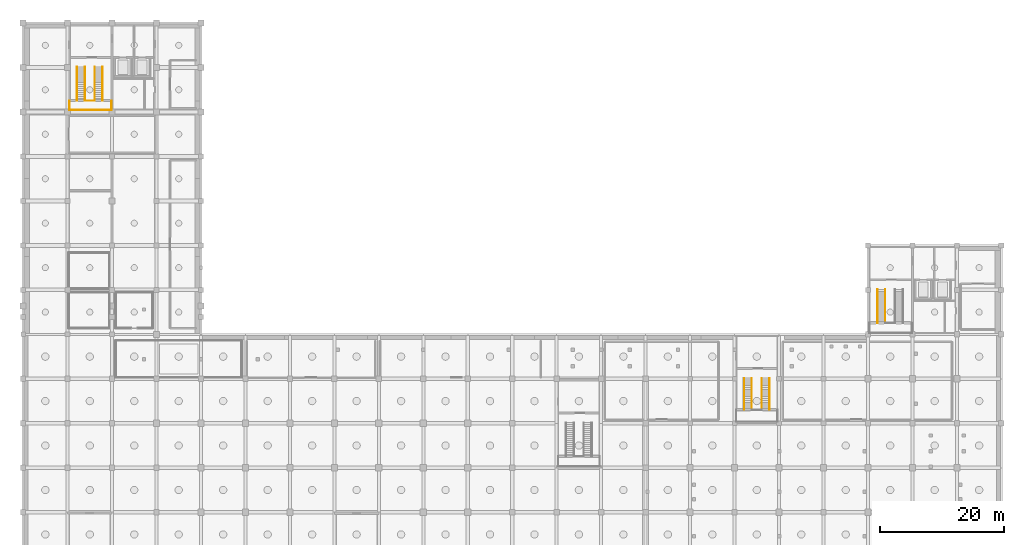
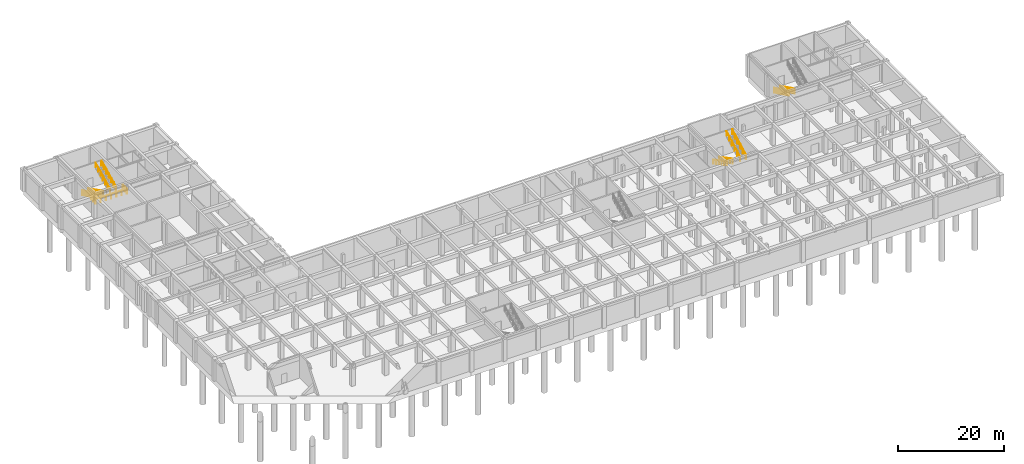
# One storey, part 13 of 15: 16 railings.
"""IFC4 building model written with IfcOpenShell, lengths in metres."""

from ifc_helpers import new_model, si_unit, direction, frame, origin, origin_2d, place, context, subcontext, project, spatial, circle, extrude, material, type_object, element, save


model = new_model("IFC4")

# Units and contexts
model_context = context("Model", 3, precision=1e-05, world=origin(), true_north=direction((0.0, 1.0)))
body_context = subcontext(model_context, "Body", "Model", "MODEL_VIEW")
ifc_project = project(units=[si_unit("LENGTHUNIT", "METRE"), si_unit("AREAUNIT", "SQUARE_METRE"), si_unit("VOLUMEUNIT", "CUBIC_METRE"), si_unit("PLANEANGLEUNIT", "RADIAN"), si_unit("MASSUNIT", "GRAM", prefix="KILO")], contexts=[model_context])

# Site, building, storey
site_placement = place(None, origin())
site = spatial("IfcSite", under=ifc_project, at=site_placement, CompositionType="ELEMENT")
building_placement = place(site_placement, origin())
building = spatial("IfcBuilding", under=site, at=building_placement, Name="Leyfeld Transit Interchange", CompositionType="ELEMENT")
storey_placement = place(building_placement, frame((0.0, 0.0, -10.800048828125)))
storey = spatial("IfcBuildingStorey", under=building, at=storey_placement, Name="B02", CompositionType="ELEMENT", Elevation=-10.800048828125)

# Railings
ifc_material = material(Name="Stainless steel EN 1.4404", Category="steel")
railing_type_1 = type_object("IfcRailingType", Name="RL-STR-GRD-1100", PredefinedType="GUARDRAIL", material=ifc_material)
railing_1_placement = place(storey_placement, frame((10.010009765625, 95.419921875, 2.699951171875)))
element("IfcRailing", 1, at=railing_1_placement, inside=storey, type_object=railing_type_1, Name="Stair ST-01 B02 Half-Landing Inner Guard", PredefinedType="GUARDRAIL", context=body_context, shape_type="SweptSolid", body=[
    extrude(circle(Radius=0.02392578125, at=origin_2d()), frame((0.0, 0.0, 1.09619140625), z_axis=(1.0, 0.0, 0.0), x_axis=(0.0, 1.0, 0.0)), (0.0, 0.0, 1.0), 1.580078125),
    extrude(circle(Radius=0.02099609375, at=origin_2d()), origin(), (0.0, 0.0, 1.0), 1.072021484375),
    extrude(circle(Radius=0.02099609375, at=origin_2d()), frame((0.7900390625, 0.0, 0.0)), (0.0, 0.0, 1.0), 1.072021484375),
    extrude(circle(Radius=0.02099609375, at=origin_2d()), frame((1.580078125, 0.0, 0.0)), (0.0, 0.0, 1.0), 1.072021484375),
])
railing_2_placement = place(storey_placement, frame((7.5048828125, 95.419921875, 2.699951171875)))
element("IfcRailing", 2, at=railing_2_placement, inside=storey, type_object=railing_type_1, Name="Stair ST-01 B02 Half-Landing Perimeter Guard", PredefinedType="GUARDRAIL", context=body_context, shape_type="SweptSolid", body=[
    extrude(circle(Radius=0.02392578125, at=origin_2d()), frame((0.0, 0.0, 1.09619140625), z_axis=(0.0, -1.0, 0.0), x_axis=(1.0, 0.0, 0.0)), (0.0, 0.0, 1.0), 1.514892578125),
    extrude(circle(Radius=0.02392578125, at=origin_2d()), frame((0.0, -1.514892578125, 1.09619140625), z_axis=(1.0, 0.0, 0.0), x_axis=(0.0, 1.0, 0.0)), (0.0, 0.0, 1.0), 6.815185546875),
    extrude(circle(Radius=0.02392578125, at=origin_2d()), frame((6.815185546875, -1.514892578125, 1.09619140625), z_axis=(0.0, 1.0, 0.0), x_axis=(-1.0, 0.0, 0.0)), (0.0, 0.0, 1.0), 1.514892578125),
    extrude(circle(Radius=0.02099609375, at=origin_2d()), origin(), (0.0, 0.0, 1.0), 1.072021484375),
    extrude(circle(Radius=0.02099609375, at=origin_2d()), frame((0.0, -0.75732421875, 0.0)), (0.0, 0.0, 1.0), 1.072021484375),
    extrude(circle(Radius=0.02099609375, at=origin_2d()), frame((0.0, -1.514892578125, 0.0)), (0.0, 0.0, 1.0), 1.072021484375),
    extrude(circle(Radius=0.02099609375, at=origin_2d()), frame((1.1357421875, -1.514892578125, 0.0)), (0.0, 0.0, 1.0), 1.072021484375),
    extrude(circle(Radius=0.02099609375, at=origin_2d()), frame((2.271728515625, -1.514892578125, 0.0)), (0.0, 0.0, 1.0), 1.072021484375),
    extrude(circle(Radius=0.02099609375, at=origin_2d()), frame((3.40771484375, -1.514892578125, 0.0)), (0.0, 0.0, 1.0), 1.072021484375),
    extrude(circle(Radius=0.02099609375, at=origin_2d()), frame((4.54345703125, -1.514892578125, 0.0)), (0.0, 0.0, 1.0), 1.072021484375),
    extrude(circle(Radius=0.02099609375, at=origin_2d()), frame((5.67919921875, -1.514892578125, 0.0)), (0.0, 0.0, 1.0), 1.072021484375),
    extrude(circle(Radius=0.02099609375, at=origin_2d()), frame((6.815185546875, -1.514892578125, 0.0)), (0.0, 0.0, 1.0), 1.072021484375),
    extrude(circle(Radius=0.02099609375, at=origin_2d()), frame((6.815185546875, -0.75732421875, 0.0)), (0.0, 0.0, 1.0), 1.072021484375),
    extrude(circle(Radius=0.02099609375, at=origin_2d()), frame((6.815185546875, 0.0, 0.0)), (0.0, 0.0, 1.0), 1.072021484375),
])
for number, where, name in (
    (3, (10.010009765625, 100.89990234375, 0.0), "Stair ST-01 B02 F1 Inner Guard"),
    (4, (8.68994140625, 100.89990234375, 0.0), "Stair ST-01 B02 F1 Outer Guard"),
):
    element("IfcRailing", number, at=place(storey_placement, frame(where)), inside=storey, type_object=railing_type_1, Name=name, PredefinedType="GUARDRAIL", context=body_context, shape_type="SweptSolid", body=[
        extrude(circle(Radius=0.02392578125, at=origin_2d()), frame((0.0, 0.0, 1.09619140625), z_axis=(0.0, -0.895741871369, 0.444574515549), x_axis=(1.0, 0.0, 0.0)), (0.0, 0.0, 1.0), 6.072998046875),
        extrude(circle(Radius=0.02099609375, at=origin_2d()), origin(), (0.0, 0.0, 1.0), 1.072021484375),
        extrude(circle(Radius=0.02099609375, at=origin_2d()), frame((0.0, -0.90673828125, 0.449951171875)), (0.0, 0.0, 1.0), 1.072021484375),
        extrude(circle(Radius=0.02099609375, at=origin_2d()), frame((0.0, -1.813232421875, 0.89990234375)), (0.0, 0.0, 1.0), 1.072021484375),
        extrude(circle(Radius=0.02099609375, at=origin_2d()), frame((0.0, -2.719970703125, 1.35009765625)), (0.0, 0.0, 1.0), 1.072021484375),
        extrude(circle(Radius=0.02099609375, at=origin_2d()), frame((0.0, -3.626708984375, 1.800048828125)), (0.0, 0.0, 1.0), 1.072021484375),
        extrude(circle(Radius=0.02099609375, at=origin_2d()), frame((0.0, -4.533203125, 2.25)), (0.0, 0.0, 1.0), 1.072021484375),
        extrude(circle(Radius=0.02099609375, at=origin_2d()), frame((0.0, -5.43994140625, 2.699951171875)), (0.0, 0.0, 1.0), 1.072021484375),
    ])
for number, where, name in (
    (5, (11.590087890625, 95.4599609375, 2.699951171875), "Stair ST-01 B02 F2 Inner Guard"),
    (6, (12.909912109375, 95.4599609375, 2.699951171875), "Stair ST-01 B02 F2 Outer Guard"),
):
    element("IfcRailing", number, at=place(storey_placement, frame(where)), inside=storey, type_object=railing_type_1, Name=name, PredefinedType="GUARDRAIL", context=body_context, shape_type="SweptSolid", body=[
        extrude(circle(Radius=0.02392578125, at=origin_2d()), frame((0.0, 0.0, 1.09619140625), z_axis=(0.0, 0.895725862372, 0.444606769492), x_axis=(-1.0, 0.0, 0.0)), (0.0, 0.0, 1.0), 6.0732421875),
        extrude(circle(Radius=0.02099609375, at=origin_2d()), origin(), (0.0, 0.0, 1.0), 1.072021484375),
        extrude(circle(Radius=0.02099609375, at=origin_2d()), frame((0.0, 0.90673828125, 0.449951171875)), (0.0, 0.0, 1.0), 1.072021484375),
        extrude(circle(Radius=0.02099609375, at=origin_2d()), frame((0.0, 1.813232421875, 0.900146484375)), (0.0, 0.0, 1.0), 1.072021484375),
        extrude(circle(Radius=0.02099609375, at=origin_2d()), frame((0.0, 2.719970703125, 1.35009765625)), (0.0, 0.0, 1.0), 1.072021484375),
        extrude(circle(Radius=0.02099609375, at=origin_2d()), frame((0.0, 3.626708984375, 1.800048828125)), (0.0, 0.0, 1.0), 1.072021484375),
        extrude(circle(Radius=0.02099609375, at=origin_2d()), frame((0.0, 4.533203125, 2.250244140625)), (0.0, 0.0, 1.0), 1.072021484375),
        extrude(circle(Radius=0.02099609375, at=origin_2d()), frame((0.0, 5.43994140625, 2.7001953125)), (0.0, 0.0, 1.0), 1.072021484375),
    ])
for number, where, name in (
    (7, (139.610107421875, 64.89990234375, 0.0), "Stair ST-04 B02 F1 Inner Guard"),
    (8, (138.2900390625, 64.89990234375, 0.0), "Stair ST-04 B02 F1 Outer Guard"),
):
    element("IfcRailing", number, at=place(storey_placement, frame(where)), inside=storey, type_object=railing_type_1, Name=name, PredefinedType="GUARDRAIL", context=body_context, shape_type="SweptSolid", body=[
        extrude(circle(Radius=0.02392578125, at=origin_2d()), frame((0.0, 0.0, 1.09619140625), z_axis=(0.0, -0.895741871369, 0.444574515549), x_axis=(1.0, 0.0, 0.0)), (0.0, 0.0, 1.0), 6.072998046875),
        extrude(circle(Radius=0.02099609375, at=origin_2d()), origin(), (0.0, 0.0, 1.0), 1.072021484375),
        extrude(circle(Radius=0.02099609375, at=origin_2d()), frame((0.0, -0.90673828125, 0.449951171875)), (0.0, 0.0, 1.0), 1.072021484375),
        extrude(circle(Radius=0.02099609375, at=origin_2d()), frame((0.0, -1.813232421875, 0.89990234375)), (0.0, 0.0, 1.0), 1.072021484375),
        extrude(circle(Radius=0.02099609375, at=origin_2d()), frame((0.0, -2.719970703125, 1.35009765625)), (0.0, 0.0, 1.0), 1.072021484375),
        extrude(circle(Radius=0.02099609375, at=origin_2d()), frame((0.0, -3.626708984375, 1.800048828125)), (0.0, 0.0, 1.0), 1.072021484375),
        extrude(circle(Radius=0.02099609375, at=origin_2d()), frame((0.0, -4.533203125, 2.25)), (0.0, 0.0, 1.0), 1.072021484375),
        extrude(circle(Radius=0.02099609375, at=origin_2d()), frame((0.0, -5.43994140625, 2.699951171875)), (0.0, 0.0, 1.0), 1.072021484375),
    ])
railing_3_placement = place(storey_placement, frame((117.985107421875, 50.5, 0.0)))
element("IfcRailing", 9, at=railing_3_placement, inside=storey, type_object=railing_type_1, Name="Stair ST-09 B02 F1 Inner Guard", PredefinedType="GUARDRAIL", context=body_context, shape_type="SweptSolid", body=[
    extrude(circle(Radius=0.02392578125, at=origin_2d()), frame((0.0, 0.0, 1.09619140625), z_axis=(0.0, -0.883795119882, 0.467874113489), x_axis=(1.0, 0.0, 0.0)), (0.0, 0.0, 1.0), 5.770751953125),
    extrude(circle(Radius=0.02099609375, at=origin_2d()), origin(), (0.0, 0.0, 1.0), 1.072021484375),
    extrude(circle(Radius=0.02099609375, at=origin_2d()), frame((0.0, -1.02001953125, 0.5400390625)), (0.0, 0.0, 1.0), 1.072021484375),
    extrude(circle(Radius=0.02099609375, at=origin_2d()), frame((0.0, -2.0400390625, 1.080078125)), (0.0, 0.0, 1.0), 1.072021484375),
    extrude(circle(Radius=0.02099609375, at=origin_2d()), frame((0.0, -3.06005859375, 1.619873046875)), (0.0, 0.0, 1.0), 1.072021484375),
    extrude(circle(Radius=0.02099609375, at=origin_2d()), frame((0.0, -4.080078125, 2.159912109375)), (0.0, 0.0, 1.0), 1.072021484375),
    extrude(circle(Radius=0.02099609375, at=origin_2d()), frame((0.0, -5.10009765625, 2.699951171875)), (0.0, 0.0, 1.0), 1.072021484375),
])
for number, where, name in (
    (10, (119.614990234375, 45.39990234375, 2.699951171875), "Stair ST-09 B02 F2 Inner Guard"),
    (11, (120.885009765625, 45.39990234375, 2.699951171875), "Stair ST-09 B02 F2 Outer Guard"),
):
    element("IfcRailing", number, at=place(storey_placement, frame(where)), inside=storey, type_object=railing_type_1, Name=name, PredefinedType="GUARDRAIL", context=body_context, shape_type="SweptSolid", body=[
        extrude(circle(Radius=0.02392578125, at=origin_2d()), frame((0.0, 0.0, 1.09619140625), z_axis=(0.0, 0.883777625423, 0.467907158314), x_axis=(-1.0, 0.0, 0.0)), (0.0, 0.0, 1.0), 5.770751953125),
        extrude(circle(Radius=0.02099609375, at=origin_2d()), origin(), (0.0, 0.0, 1.0), 1.072021484375),
        extrude(circle(Radius=0.02099609375, at=origin_2d()), frame((0.0, 1.02001953125, 0.5400390625)), (0.0, 0.0, 1.0), 1.072021484375),
        extrude(circle(Radius=0.02099609375, at=origin_2d()), frame((0.0, 2.0400390625, 1.080078125)), (0.0, 0.0, 1.0), 1.072021484375),
        extrude(circle(Radius=0.02099609375, at=origin_2d()), frame((0.0, 3.06005859375, 1.6201171875)), (0.0, 0.0, 1.0), 1.072021484375),
        extrude(circle(Radius=0.02099609375, at=origin_2d()), frame((0.0, 4.080078125, 2.16015625)), (0.0, 0.0, 1.0), 1.072021484375),
        extrude(circle(Radius=0.02099609375, at=origin_2d()), frame((0.0, 5.10009765625, 2.7001953125)), (0.0, 0.0, 1.0), 1.072021484375),
    ])
railing_type_2 = type_object("IfcRailingType", Name="RL-STR-HND-900", PredefinedType="HANDRAIL", material=ifc_material)
railing_4_placement = place(storey_placement, frame((8.75, 100.89990234375, 0.0)))
element("IfcRailing", 12, at=railing_4_placement, inside=storey, type_object=railing_type_2, Name="Stair ST-01 B02 F1 Handrail", PredefinedType="HANDRAIL", context=body_context, shape_type="SweptSolid", body=[
    extrude(circle(Radius=0.02392578125, at=origin_2d()), frame((0.0, 0.0, 0.8759765625), z_axis=(0.0, -0.895741871369, 0.444574515549), x_axis=(1.0, 0.0, 0.0)), (0.0, 0.0, 1.0), 6.072998046875),
    extrude(circle(Radius=0.02099609375, at=origin_2d()), origin(), (0.0, 0.0, 1.0), 0.851806640625),
    extrude(circle(Radius=0.02099609375, at=origin_2d()), frame((0.0, -0.90673828125, 0.449951171875)), (0.0, 0.0, 1.0), 0.851806640625),
    extrude(circle(Radius=0.02099609375, at=origin_2d()), frame((0.0, -1.813232421875, 0.89990234375)), (0.0, 0.0, 1.0), 0.851806640625),
    extrude(circle(Radius=0.02099609375, at=origin_2d()), frame((0.0, -2.719970703125, 1.35009765625)), (0.0, 0.0, 1.0), 0.851806640625),
    extrude(circle(Radius=0.02099609375, at=origin_2d()), frame((0.0, -3.626708984375, 1.800048828125)), (0.0, 0.0, 1.0), 0.851806640625),
    extrude(circle(Radius=0.02099609375, at=origin_2d()), frame((0.0, -4.533203125, 2.25)), (0.0, 0.0, 1.0), 0.851806640625),
    extrude(circle(Radius=0.02099609375, at=origin_2d()), frame((0.0, -5.43994140625, 2.699951171875)), (0.0, 0.0, 1.0), 0.851806640625),
])
railing_5_placement = place(storey_placement, frame((12.85009765625, 95.4599609375, 2.699951171875)))
element("IfcRailing", 13, at=railing_5_placement, inside=storey, type_object=railing_type_2, Name="Stair ST-01 B02 F2 Handrail", PredefinedType="HANDRAIL", context=body_context, shape_type="SweptSolid", body=[
    extrude(circle(Radius=0.02392578125, at=origin_2d()), frame((0.0, 0.0, 0.8759765625), z_axis=(0.0, 0.895725862372, 0.444606769492), x_axis=(-1.0, 0.0, 0.0)), (0.0, 0.0, 1.0), 6.0732421875),
    extrude(circle(Radius=0.02099609375, at=origin_2d()), origin(), (0.0, 0.0, 1.0), 0.851806640625),
    extrude(circle(Radius=0.02099609375, at=origin_2d()), frame((0.0, 0.90673828125, 0.449951171875)), (0.0, 0.0, 1.0), 0.851806640625),
    extrude(circle(Radius=0.02099609375, at=origin_2d()), frame((0.0, 1.813232421875, 0.900146484375)), (0.0, 0.0, 1.0), 0.851806640625),
    extrude(circle(Radius=0.02099609375, at=origin_2d()), frame((0.0, 2.719970703125, 1.35009765625)), (0.0, 0.0, 1.0), 0.851806640625),
    extrude(circle(Radius=0.02099609375, at=origin_2d()), frame((0.0, 3.626708984375, 1.800048828125)), (0.0, 0.0, 1.0), 0.851806640625),
    extrude(circle(Radius=0.02099609375, at=origin_2d()), frame((0.0, 4.533203125, 2.250244140625)), (0.0, 0.0, 1.0), 0.851806640625),
    extrude(circle(Radius=0.02099609375, at=origin_2d()), frame((0.0, 5.43994140625, 2.7001953125)), (0.0, 0.0, 1.0), 0.851806640625),
])
railing_6_placement = place(storey_placement, frame((138.35009765625, 64.89990234375, 0.0)))
element("IfcRailing", 14, at=railing_6_placement, inside=storey, type_object=railing_type_2, Name="Stair ST-04 B02 F1 Handrail", PredefinedType="HANDRAIL", context=body_context, shape_type="SweptSolid", body=[
    extrude(circle(Radius=0.02392578125, at=origin_2d()), frame((0.0, 0.0, 0.8759765625), z_axis=(0.0, -0.895741871369, 0.444574515549), x_axis=(1.0, 0.0, 0.0)), (0.0, 0.0, 1.0), 6.072998046875),
    extrude(circle(Radius=0.02099609375, at=origin_2d()), origin(), (0.0, 0.0, 1.0), 0.851806640625),
    extrude(circle(Radius=0.02099609375, at=origin_2d()), frame((0.0, -0.90673828125, 0.449951171875)), (0.0, 0.0, 1.0), 0.851806640625),
    extrude(circle(Radius=0.02099609375, at=origin_2d()), frame((0.0, -1.813232421875, 0.89990234375)), (0.0, 0.0, 1.0), 0.851806640625),
    extrude(circle(Radius=0.02099609375, at=origin_2d()), frame((0.0, -2.719970703125, 1.35009765625)), (0.0, 0.0, 1.0), 0.851806640625),
    extrude(circle(Radius=0.02099609375, at=origin_2d()), frame((0.0, -3.626708984375, 1.800048828125)), (0.0, 0.0, 1.0), 0.851806640625),
    extrude(circle(Radius=0.02099609375, at=origin_2d()), frame((0.0, -4.533203125, 2.25)), (0.0, 0.0, 1.0), 0.851806640625),
    extrude(circle(Radius=0.02099609375, at=origin_2d()), frame((0.0, -5.43994140625, 2.699951171875)), (0.0, 0.0, 1.0), 0.851806640625),
])
railing_7_placement = place(storey_placement, frame((116.77490234375, 50.5, 0.0)))
element("IfcRailing", 15, at=railing_7_placement, inside=storey, type_object=railing_type_2, Name="Stair ST-09 B02 F1 Handrail", PredefinedType="HANDRAIL", context=body_context, shape_type="SweptSolid", body=[
    extrude(circle(Radius=0.02392578125, at=origin_2d()), frame((0.0, 0.0, 0.8759765625), z_axis=(0.0, -0.883795119882, 0.467874113489), x_axis=(1.0, 0.0, 0.0)), (0.0, 0.0, 1.0), 5.770751953125),
    extrude(circle(Radius=0.02099609375, at=origin_2d()), origin(), (0.0, 0.0, 1.0), 0.851806640625),
    extrude(circle(Radius=0.02099609375, at=origin_2d()), frame((0.0, -1.02001953125, 0.5400390625)), (0.0, 0.0, 1.0), 0.851806640625),
    extrude(circle(Radius=0.02099609375, at=origin_2d()), frame((0.0, -2.0400390625, 1.080078125)), (0.0, 0.0, 1.0), 0.851806640625),
    extrude(circle(Radius=0.02099609375, at=origin_2d()), frame((0.0, -3.06005859375, 1.619873046875)), (0.0, 0.0, 1.0), 0.851806640625),
    extrude(circle(Radius=0.02099609375, at=origin_2d()), frame((0.0, -4.080078125, 2.159912109375)), (0.0, 0.0, 1.0), 0.851806640625),
    extrude(circle(Radius=0.02099609375, at=origin_2d()), frame((0.0, -5.10009765625, 2.699951171875)), (0.0, 0.0, 1.0), 0.851806640625),
])
railing_8_placement = place(storey_placement, frame((120.824951171875, 45.39990234375, 2.699951171875)))
element("IfcRailing", 16, at=railing_8_placement, inside=storey, type_object=railing_type_2, Name="Stair ST-09 B02 F2 Handrail", PredefinedType="HANDRAIL", context=body_context, shape_type="SweptSolid", body=[
    extrude(circle(Radius=0.02392578125, at=origin_2d()), frame((0.0, 0.0, 0.8759765625), z_axis=(0.0, 0.883777625423, 0.467907158314), x_axis=(-1.0, 0.0, 0.0)), (0.0, 0.0, 1.0), 5.770751953125),
    extrude(circle(Radius=0.02099609375, at=origin_2d()), origin(), (0.0, 0.0, 1.0), 0.851806640625),
    extrude(circle(Radius=0.02099609375, at=origin_2d()), frame((0.0, 1.02001953125, 0.5400390625)), (0.0, 0.0, 1.0), 0.851806640625),
    extrude(circle(Radius=0.02099609375, at=origin_2d()), frame((0.0, 2.0400390625, 1.080078125)), (0.0, 0.0, 1.0), 0.851806640625),
    extrude(circle(Radius=0.02099609375, at=origin_2d()), frame((0.0, 3.06005859375, 1.6201171875)), (0.0, 0.0, 1.0), 0.851806640625),
    extrude(circle(Radius=0.02099609375, at=origin_2d()), frame((0.0, 4.080078125, 2.16015625)), (0.0, 0.0, 1.0), 0.851806640625),
    extrude(circle(Radius=0.02099609375, at=origin_2d()), frame((0.0, 5.10009765625, 2.7001953125)), (0.0, 0.0, 1.0), 0.851806640625),
])

save(model, "model.ifc")
